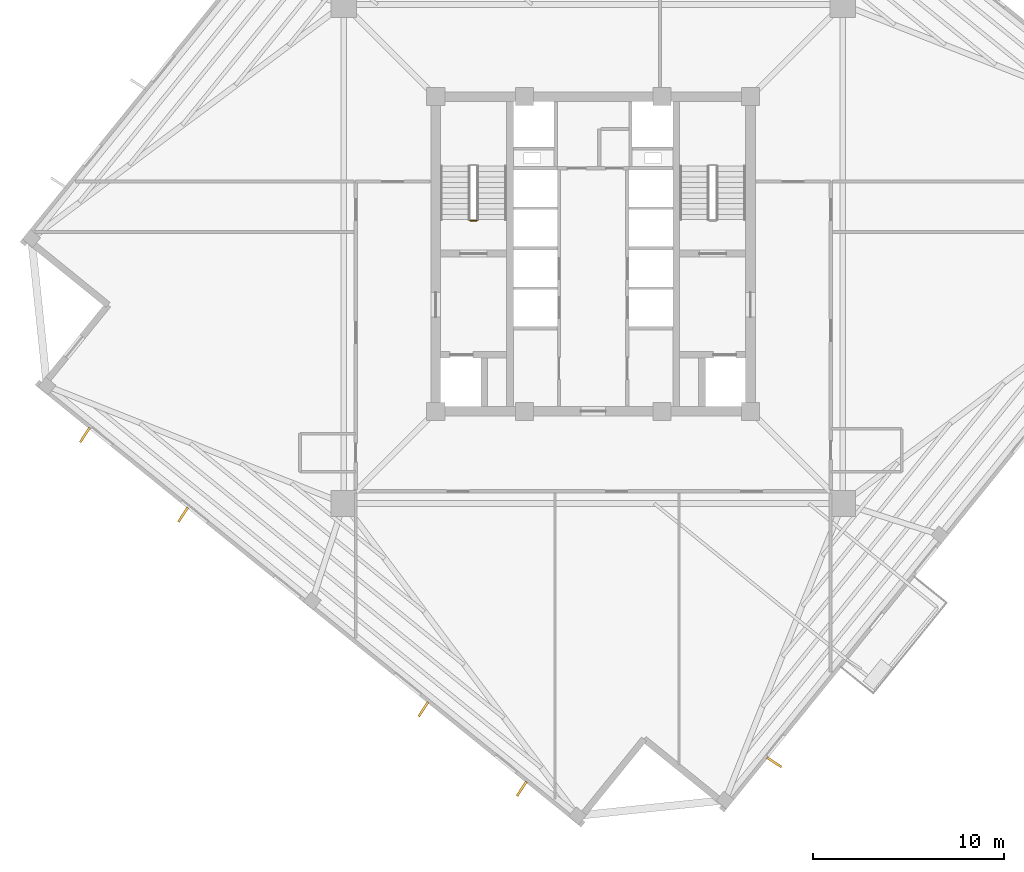
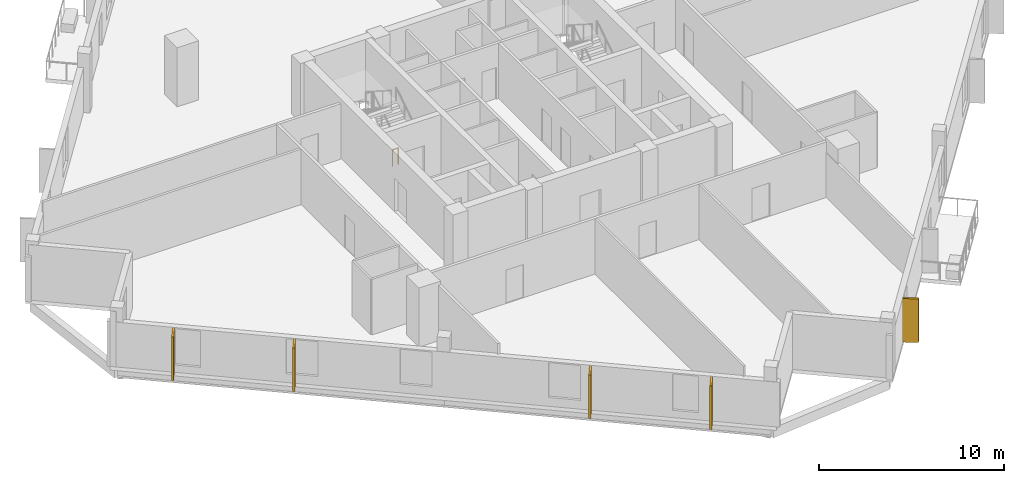
# One storey, part 6 of 9: 5 coverings, 1 railing.
"""IFC4 building model written with IfcOpenShell, lengths in metres."""

import ifcopenshell
import ifcopenshell.guid

model = None  # the IFC model being written
_history = None  # IfcOwnerHistory: only IFC2X3 demands one
_inside = {}  # id of a spatial element -> (the spatial element, [elements in it])
_under = {}  # id of a project, library or spatial element -> (it, [spatial elements below it])
_declared = {}  # id of a project -> (the project, [libraries it declares])
_typed = {}  # id of a type object -> (the type object, [elements of that type])
_made_of = {}  # id of a material, layer set ... -> (it, [elements and type objects made of it])


def new_model(schema):
    """Start an empty IFC model of exactly this schema.

    Asked for "IFC4X3", IfcOpenShell would pick the latest addendum, in which some entities
    have other attributes; the version numbers below select the first issue.
    IFC2X3 requires an IfcOwnerHistory on every rooted entity: one is made here for all.
    """
    global model, _history
    if schema == "IFC4X3":
        model = ifcopenshell.file(schema_version=(4, 3, 0, 0))
    else:
        model = ifcopenshell.file(schema=schema)
    _inside.clear()
    _under.clear()
    _declared.clear()
    _typed.clear()
    _made_of.clear()
    _history = None
    if model.schema == "IFC2X3":
        org = make("IfcOrganization", Name="unknown")
        user = make(
            "IfcPersonAndOrganization",
            ThePerson=make("IfcPerson", FamilyName="unknown"),
            TheOrganization=org,
        )
        app = make(
            "IfcApplication",
            ApplicationDeveloper=org,
            Version="unknown",
            ApplicationFullName="unknown",
            ApplicationIdentifier="unknown",
        )
        _history = make(
            "IfcOwnerHistory",
            OwningUser=user,
            OwningApplication=app,
            ChangeAction="ADDED",
            CreationDate=0,
        )
    return model


def make(cls, **values):
    """One entity of the class cls with the attributes given. An attribute that is None is left unset."""
    return model.create_entity(
        cls, **{name: value for name, value in values.items() if value is not None}
    )


def rooted(cls, **values):
    """An entity with a GlobalId (a new one), such as an element, a storey or a relation."""
    return make(cls, GlobalId=ifcopenshell.guid.new(), OwnerHistory=_history, **values)


def si_unit(unit_type, name, prefix=None):
    """IfcSIUnit, for example si_unit("LENGTHUNIT", "METRE", prefix="MILLI")."""
    return make("IfcSIUnit", UnitType=unit_type, Prefix=prefix, Name=name)


def assignment(units):
    """IfcUnitAssignment: the units of a project."""
    return None if units is None else make("IfcUnitAssignment", Units=units)


def point(xyz):
    """IfcCartesianPoint."""
    return None if xyz is None else make("IfcCartesianPoint", Coordinates=xyz)


def direction(xyz):
    """IfcDirection."""
    return None if xyz is None else make("IfcDirection", DirectionRatios=xyz)


def frame(location, z_axis=None, x_axis=None):
    """IfcAxis2Placement3D, a coordinate frame: its origin and axes. An axis left out is left unset."""
    return make(
        "IfcAxis2Placement3D",
        Location=point(location),
        Axis=direction(z_axis),
        RefDirection=direction(x_axis),
    )


def frame_2d(location, x_axis=None):
    """IfcAxis2Placement2D, a coordinate frame in the plane: its origin and x axis."""
    return make(
        "IfcAxis2Placement2D", Location=point(location), RefDirection=direction(x_axis)
    )


def origin():
    """The frame at (0, 0, 0) with its axes left unset."""
    return frame((0.0, 0.0, 0.0))


def origin_2d():
    """The frame at (0, 0) in the plane with its x axis left unset."""
    return frame_2d((0.0, 0.0))


def place(relative_to, where):
    """IfcLocalPlacement: puts the frame where relative to a parent placement (None: the world)."""
    return make(
        "IfcLocalPlacement", PlacementRelTo=relative_to, RelativePlacement=where
    )


def context(
    kind, dimensions, precision=None, world=None, true_north=None, identifier=None
):
    """IfcGeometricRepresentationContext, for example the 3D "Model" context."""
    return make(
        "IfcGeometricRepresentationContext",
        ContextIdentifier=identifier,
        ContextType=kind,
        CoordinateSpaceDimension=dimensions,
        Precision=precision,
        WorldCoordinateSystem=world,
        TrueNorth=true_north,
    )


def subcontext(parent, identifier, kind, view, scale=None):
    """IfcGeometricRepresentationSubContext, for example "Body" below "Model"."""
    return make(
        "IfcGeometricRepresentationSubContext",
        ContextIdentifier=identifier,
        ContextType=kind,
        ParentContext=parent,
        TargetScale=scale,
        TargetView=view,
    )


def project(units=None, contexts=None):
    """IfcProject with its units and contexts."""
    return rooted(
        "IfcProject",
        Name="project",
        RepresentationContexts=contexts,
        UnitsInContext=assignment(units),
    )


def spatial(cls, under=None, at=None, **own):
    """A site, building, storey or space (cls), placed at a placement, below another one or the project."""
    s = rooted(cls, ObjectPlacement=at, **own)
    if under is not None:
        _under.setdefault(under.id(), (under, []))[1].append(s)
    return s


def profile(cls, at=None, kind="AREA", **sizes):
    """A parametric profile (cls). Its sizes go by their IFC names, for example OverallWidth=200.0."""
    return make(cls, ProfileType=kind, Position=at, **sizes)


def rectangle(**sizes):
    """IfcRectangleProfileDef."""
    return profile("IfcRectangleProfileDef", **sizes)


def circle(**sizes):
    """IfcCircleProfileDef."""
    return profile("IfcCircleProfileDef", **sizes)


def extrude(swept, where, along, depth):
    """IfcExtrudedAreaSolid: the profile swept, set in the frame where, extruded along a direction by depth."""
    return make(
        "IfcExtrudedAreaSolid",
        SweptArea=swept,
        Position=where,
        ExtrudedDirection=direction(along),
        Depth=depth,
    )


def shape(context_of_items, identifier, shape_type, items):
    """IfcShapeRepresentation: the items that make up one representation, for example the "Body"."""
    return make(
        "IfcShapeRepresentation",
        ContextOfItems=context_of_items,
        RepresentationIdentifier=identifier,
        RepresentationType=shape_type,
        Items=items,
    )


def source(mapping_origin, context_of_items, identifier, shape_type, items):
    """IfcRepresentationMap: a shape defined once, which mapped items show again and again."""
    return make(
        "IfcRepresentationMap",
        MappingOrigin=mapping_origin,
        MappedRepresentation=shape(context_of_items, identifier, shape_type, items),
    )


def transform(
    local_origin,
    x_axis=None,
    y_axis=None,
    z_axis=None,
    scale=None,
    scale2=None,
    scale3=None,
    uniform=True,
):
    """IfcCartesianTransformationOperator3D, or its non-uniform kind. x_axis, y_axis, z_axis: its Axis1, 2, 3."""
    if uniform:
        return make(
            "IfcCartesianTransformationOperator3D",
            Axis1=direction(x_axis),
            Axis2=direction(y_axis),
            LocalOrigin=point(local_origin),
            Scale=scale,
            Axis3=direction(z_axis),
        )
    return make(
        "IfcCartesianTransformationOperator3DnonUniform",
        Axis1=direction(x_axis),
        Axis2=direction(y_axis),
        LocalOrigin=point(local_origin),
        Scale=scale,
        Axis3=direction(z_axis),
        Scale2=scale2,
        Scale3=scale3,
    )


def mapped(mapping_source, mapping_target):
    """IfcMappedItem: shows the shape of a source again, moved by a transform."""
    return make(
        "IfcMappedItem", MappingSource=mapping_source, MappingTarget=mapping_target
    )


def material(Name=None, Category=None):
    """IfcMaterial."""
    return make("IfcMaterial", Name=Name, Category=Category)


def layer(
    of_material, thickness, ventilated=None, Name=None, Category=None, Priority=None
):
    """IfcMaterialLayer: one layer of a wall or slab, of a material (None: an air gap)."""
    return make(
        "IfcMaterialLayer",
        Material=of_material,
        LayerThickness=thickness,
        IsVentilated=ventilated,
        Name=Name,
        Category=Category,
        Priority=Priority,
    )


def layer_set(layers, Name=None):
    """IfcMaterialLayerSet."""
    return make("IfcMaterialLayerSet", MaterialLayers=layers, LayerSetName=Name)


def made_of(thing, what):
    """Note that an element or type object is made of a material, layer set ...; save() writes the relation."""
    if what is not None:
        _made_of.setdefault(what.id(), (what, []))[1].append(thing)
    return thing


def type_object(cls, material=None, **own):
    """A type object (cls), such as IfcWallType, which elements share."""
    return made_of(rooted(cls, **own), material)


def element(
    cls,
    number,
    at=None,
    inside=None,
    cuts=None,
    type_object=None,
    material=None,
    context=None,
    identifier="Body",
    shape_type=None,
    held_by="IfcProductDefinitionShape",
    body=None,
    shapes=None,
    **own,
):
    """One element of the class cls, such as IfcWall. Its Tag is "e" and its number.

    at: its placement. inside: the storey or other place that contains it. cuts: it is an
    opening in that element (IfcRelVoidsElement). A single representation is given by context,
    identifier, shape_type and body (its items); several are given by shapes. held_by: the class
    of the entity that holds the representations. save() writes the other relations.
    """
    e = rooted(cls, Tag="e%d" % number, ObjectPlacement=at, **own)
    if body is not None:
        shapes = [shape(context, identifier, shape_type, body)]
    if shapes is not None:
        e.Representation = make(held_by, Representations=shapes)
    if inside is not None:
        _inside.setdefault(inside.id(), (inside, []))[1].append(e)
    if cuts is not None:
        rooted(
            "IfcRelVoidsElement", RelatingBuildingElement=cuts, RelatedOpeningElement=e
        )
    if type_object is not None:
        _typed.setdefault(type_object.id(), (type_object, []))[1].append(e)
    return made_of(e, material)


def aggregate(whole, parts):
    """IfcRelAggregates: a whole, such as a stair, and the parts it consists of."""
    return rooted("IfcRelAggregates", RelatingObject=whole, RelatedObjects=parts)


def save(model, path):
    """Write the relations noted so far, then the file.

    IfcRelAggregates (storeys below a building ...), IfcRelContainedInSpatialStructure (elements
    in a storey), IfcRelDefinesByType, IfcRelAssociatesMaterial and IfcRelDeclares: one each for
    every whole, place, type object, material and project.
    """
    for whole, parts in _under.values():
        aggregate(whole, parts)
    for where, things in _inside.values():
        rooted(
            "IfcRelContainedInSpatialStructure",
            RelatedElements=things,
            RelatingStructure=where,
        )
    for kind, things in _typed.values():
        rooted("IfcRelDefinesByType", RelatedObjects=things, RelatingType=kind)
    for what, things in _made_of.values():
        rooted("IfcRelAssociatesMaterial", RelatedObjects=things, RelatingMaterial=what)
    for by, libraries in _declared.values():
        rooted("IfcRelDeclares", RelatingContext=by, RelatedDefinitions=libraries)
    model.write(path)


model = new_model("IFC4")

# Units and contexts
model_context = context("Model", 3, precision=1e-05, world=origin(), true_north=direction((0.0, 1.0)))
body_context = subcontext(model_context, "Body", "Model", "MODEL_VIEW")
ifc_project = project(units=[si_unit("LENGTHUNIT", "METRE"), si_unit("AREAUNIT", "SQUARE_METRE"), si_unit("VOLUMEUNIT", "CUBIC_METRE"), si_unit("PLANEANGLEUNIT", "RADIAN"), si_unit("MASSUNIT", "GRAM", prefix="KILO"), si_unit("THERMODYNAMICTEMPERATUREUNIT", "KELVIN")], contexts=[model_context])

# Site, building, storey
site_placement = place(None, origin())
site = spatial("IfcSite", under=ifc_project, at=site_placement, CompositionType="ELEMENT")
building_placement = place(site_placement, origin())
building = spatial("IfcBuilding", under=site, at=building_placement, Name="Kosmvard Interchange Tower", CompositionType="ELEMENT")
storey_placement = place(building_placement, frame((0.0, 0.0, 225.10009765625)))
storey = spatial("IfcBuildingStorey", under=building, at=storey_placement, Name="L54", CompositionType="ELEMENT", Elevation=225.10009765625)

# Coverings
ifc_material_1 = material(Name="Architectural anodised aluminium", Category="aluminium")
ifc_layer = layer(ifc_material_1, 0.1201171875, Name="Architectural anodised aluminium")
ifc_layer_set = layer_set([ifc_layer], Name="Architectural anodised aluminium")
covering_type = type_object("IfcCoveringType", Name="Rotating Vertical Sun-Breaker Fin 900x120 Aluminium", PredefinedType="CLADDING", material=ifc_layer_set)
shared_shape_1 = source(origin(), body_context, "Body", "SweptSolid", [
    extrude(rectangle(XDim=0.89990234375, YDim=0.1201171875, at=origin_2d()), origin(), (0.0, 0.0, 1.0), 2.8798828125),
])
for number, where, z_axis, x_axis, name in (
    (1, (9.494384765625, -26.650146484375, 0.0400390625), (0.0, 0.0, 1.0), (0.839430209734, -0.543467499475, 0.0), "L54 Rotating Vertical Sun-Breaker Fin 01"),
    (2, (-26.650146484375, -9.494384765625, 0.0400390625), (0.0, 0.0, 1.0), (-0.543467499475, -0.839430209734, 0.0), "L54 Rotating Vertical Sun-Breaker Fin 13"),
    (3, (-21.49658203125, -13.66748046875, 0.0400390625), (0.0, 0.0, 1.0), (-0.543467499475, -0.839430209734, 0.0), "L54 Rotating Vertical Sun-Breaker Fin 14"),
    (4, (-8.8994140625, -23.86865234375, 0.0400390625), (0.0, 0.0, 1.0), (-0.543467499475, -0.839430209734, 0.0), "L54 Rotating Vertical Sun-Breaker Fin 15"),
    (5, (-3.74609375, -28.041748046875, 0.0400390625), (0.0, 0.0, 1.0), (-0.543467499475, -0.839430209734, 0.0), "L54 Rotating Vertical Sun-Breaker Fin 16"),
):
    element("IfcCovering", number, at=place(storey_placement, frame(where, z_axis=z_axis, x_axis=x_axis)), inside=storey, type_object=covering_type, Name=name, PredefinedType="CLADDING", context=body_context, shape_type="MappedRepresentation", body=[
        mapped(shared_shape_1, transform((0.0, 0.0, 0.0), scale=1.0)),
    ])

# Railing
ifc_material_2 = material(Name="Steel S355", Category="steel")
railing_type = type_object("IfcRailingType", Name="Stair & Terrace Safety Guardrail 1100 Steel", PredefinedType="GUARDRAIL", material=ifc_material_2)
shared_shape_2 = source(origin(), body_context, "Body", "SweptSolid", [
    extrude(circle(Radius=0.02392578125, at=origin_2d()), frame((0.0, 0.0, 1.076171875), z_axis=(-1.0, 0.0, 0.0), x_axis=(0.0, -1.0, 0.0)), (0.0, 0.0, 1.0), 0.35986328125),
    extrude(circle(Radius=0.02099609375, at=origin_2d()), origin(), (0.0, 0.0, 1.0), 1.052001953125),
    extrude(circle(Radius=0.02099609375, at=origin_2d()), frame((-0.35986328125, 0.0, 0.0)), (0.0, 0.0, 1.0), 1.052001953125),
])
railing_placement = place(storey_placement, frame((-6.090087890625, 1.75, 0.0)))
element("IfcRailing", 6, at=railing_placement, inside=storey, type_object=railing_type, Name="L54 ST-1 stair guard 4", PredefinedType="GUARDRAIL", context=body_context, shape_type="MappedRepresentation", body=[
    mapped(shared_shape_2, transform((0.0, 0.0, 0.0), scale=1.0)),
])

save(model, "model.ifc")
